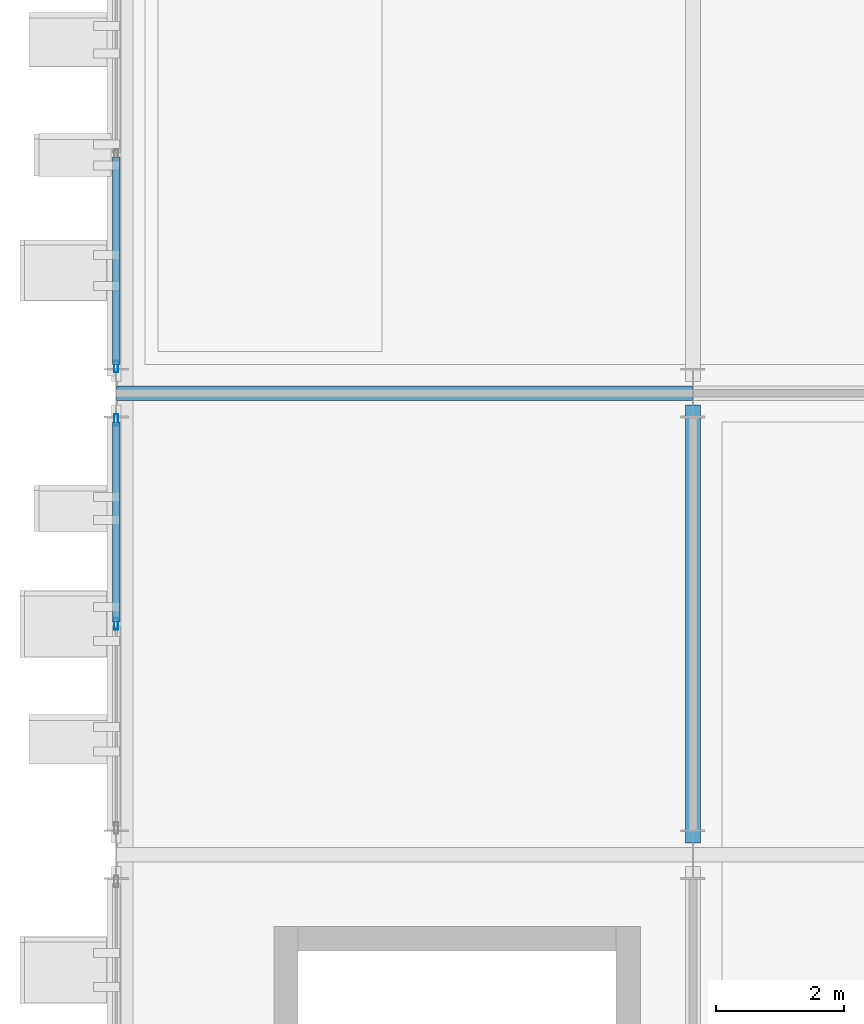
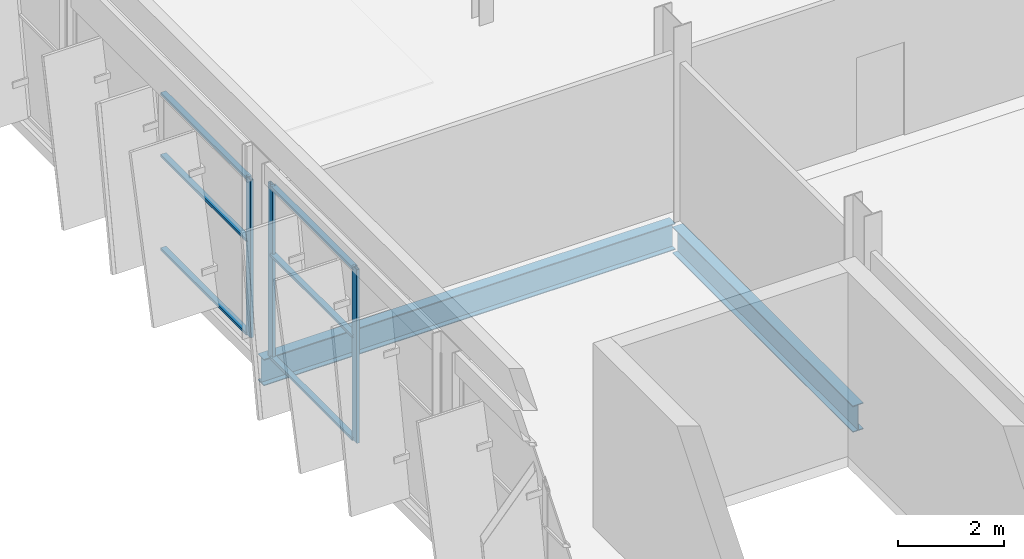
# One storey, part 9 of 52: 9 members, 2 beams, 2 elements without a shape of their own.
"""IFC4 building model written with IfcOpenShell, lengths in metres."""

from ifc_helpers import new_model, si_unit, direction, frame, origin, origin_2d, place, context, subcontext, project, spatial, hollow_rectangle, i_section, extrude, material, layer, layer_set, material_profile, profile_set, type_object, element, aggregate, save


model = new_model("IFC4")

# Units and contexts
model_context = context("Model", 3, precision=1e-05, world=origin(), true_north=direction((0.0, 1.0)))
body_context = subcontext(model_context, "Body", "Model", "MODEL_VIEW")
ifc_project = project(units=[si_unit("LENGTHUNIT", "METRE"), si_unit("AREAUNIT", "SQUARE_METRE"), si_unit("VOLUMEUNIT", "CUBIC_METRE"), si_unit("PLANEANGLEUNIT", "RADIAN"), si_unit("MASSUNIT", "GRAM", prefix="KILO")], contexts=[model_context])

# Site, building, storey
site_placement = place(None, origin())
site = spatial("IfcSite", under=ifc_project, at=site_placement, CompositionType="ELEMENT")
building_placement = place(site_placement, origin())
building = spatial("IfcBuilding", under=site, at=building_placement, Name="Celestram Park Convention Centre", CompositionType="ELEMENT")
storey_placement = place(building_placement, frame((0.0, 0.0, 24.300048828125)))
storey = spatial("IfcBuildingStorey", under=building, at=storey_placement, Name="L05", CompositionType="ELEMENT", Elevation=24.300048828125)

# Curtain wall, members
ifc_material_1 = material(Name="Anodised Aluminium Alloy 6063-T6", Category="aluminium")
ifc_layer_1 = layer(ifc_material_1, 0.179931640625)
ifc_layer_set_1 = layer_set([ifc_layer_1], Name="Anodised Aluminium Alloy 6063-T6")
curtain_wall_type_1 = type_object("IfcCurtainWallType", Name="ARC-CW-643X401", PredefinedType="NOTDEFINED", material=ifc_layer_set_1)
curtain_wall_1_placement = place(storey_placement, origin())
curtain_wall_1 = element("IfcCurtainWall", 1, at=curtain_wall_1_placement, inside=storey, type_object=curtain_wall_type_1, Name="Unitised curtain wall CU-L05-245", PredefinedType="NOTDEFINED")
ifc_material_profile_1 = material_profile(ifc_material_1, hollow_rectangle(XDim=0.06494140625, YDim=0.179931640625, WallThickness=0.00390625, at=origin_2d()), Name="ALU65X180X4")
ifc_profile_set_1 = profile_set([ifc_material_profile_1], Name="Anodised Aluminium Alloy 6063-T6")
member_type_1 = type_object("IfcMemberType", Name="ARC-CWM-150", PredefinedType="MULLION", material=ifc_profile_set_1)
member_1_placement = place(storey_placement, frame((36.0, 126.0, 0.0), z_axis=(0.0, 0.0, 1.0), x_axis=(-1.0, 0.0, 0.0)))
member_1 = element("IfcMember", 2, at=member_1_placement, type_object=member_type_1, Name="CW-64X40 mullion 2", PredefinedType="MULLION", context=body_context, shape_type="SweptSolid", body=[
    extrude(hollow_rectangle(XDim=0.06494140625, YDim=0.179931640625, WallThickness=0.00390625, at=origin_2d()), origin(), (0.0, 0.0, 1.0), 4.010009765625),
])
member_2_placement = place(storey_placement, frame((36.0, 129.18359375, 0.0), z_axis=(0.0, 0.0, 1.0), x_axis=(-1.0, 0.0, 0.0)))
member_2 = element("IfcMember", 3, at=member_2_placement, type_object=member_type_1, Name="CW-64X40 mullion 3", PredefinedType="MULLION", context=body_context, shape_type="SweptSolid", body=[
    extrude(hollow_rectangle(XDim=0.06494140625, YDim=0.179931640625, WallThickness=0.00390625, at=origin_2d()), origin(), (0.0, 0.0, 1.0), 4.010009765625),
])

# Curtain wall, member
ifc_layer_2 = layer(ifc_material_1, 0.179931640625)
ifc_layer_set_2 = layer_set([ifc_layer_2], Name="Anodised Aluminium Alloy 6063-T6")
curtain_wall_type_2 = type_object("IfcCurtainWallType", Name="ARC-CW-666X365", PredefinedType="NOTDEFINED", material=ifc_layer_set_2)
curtain_wall_2_placement = place(storey_placement, origin())
curtain_wall_2 = element("IfcCurtainWall", 4, at=curtain_wall_2_placement, inside=storey, type_object=curtain_wall_type_2, Name="Unitised curtain wall CU-L05-246", PredefinedType="NOTDEFINED")
member_3_placement = place(storey_placement, frame((36.0, 130.0166015625, 0.0), z_axis=(0.0, 0.0, 1.0), x_axis=(-1.0, 0.0, 0.0)))
member_3 = element("IfcMember", 5, at=member_3_placement, type_object=member_type_1, Name="CW-66X36 mullion 1", PredefinedType="MULLION", context=body_context, shape_type="SweptSolid", body=[
    extrude(hollow_rectangle(XDim=0.06494140625, YDim=0.179931640625, WallThickness=0.00390625, at=origin_2d()), origin(), (0.0, 0.0, 1.0), 3.64794921875),
])

# Member
ifc_material_profile_2 = material_profile(ifc_material_1, hollow_rectangle(XDim=0.1201171875, YDim=0.06005859375, WallThickness=0.0029296875, at=origin_2d()), Name="ALU120X60X3")
ifc_profile_set_2 = profile_set([ifc_material_profile_2], Name="Anodised Aluminium Alloy 6063-T6")
member_type_2 = type_object("IfcMemberType", Name="ARC-CWT-120", PredefinedType="USERDEFINED", material=ifc_profile_set_2)
member_4_placement = place(storey_placement, frame((36.0, 126.032470703125, 0.030029296875), z_axis=(0.0, 1.0, 0.0), x_axis=(-1.0, 0.0, 0.0)))
member_4 = element("IfcMember", 6, at=member_4_placement, type_object=member_type_2, Name="CW-64X40 transom 2.1", ObjectType="TRANSOM", PredefinedType="USERDEFINED", context=body_context, shape_type="SweptSolid", body=[
    extrude(hollow_rectangle(XDim=0.1201171875, YDim=0.06005859375, WallThickness=0.0029296875, at=origin_2d()), origin(), (0.0, 0.0, 1.0), 3.118408203125),
])

member_5_placement = place(storey_placement, frame((36.0, 126.032470703125, 2.406005859375), z_axis=(0.0, 1.0, 0.0), x_axis=(-1.0, 0.0, 0.0)))
member_5 = element("IfcMember", 7, at=member_5_placement, type_object=member_type_2, Name="CW-64X40 transom 2.2", ObjectType="TRANSOM", PredefinedType="USERDEFINED", context=body_context, shape_type="SweptSolid", body=[
    extrude(hollow_rectangle(XDim=0.1201171875, YDim=0.06005859375, WallThickness=0.0029296875, at=origin_2d()), origin(), (0.0, 0.0, 1.0), 3.118408203125),
])

member_6_placement = place(storey_placement, frame((36.0, 126.032470703125, 3.97998046875), z_axis=(0.0, 1.0, 0.0), x_axis=(-1.0, 0.0, 0.0)))
member_6 = element("IfcMember", 8, at=member_6_placement, type_object=member_type_2, Name="CW-64X40 transom 2.3", ObjectType="TRANSOM", PredefinedType="USERDEFINED", context=body_context, shape_type="SweptSolid", body=[
    extrude(hollow_rectangle(XDim=0.1201171875, YDim=0.06005859375, WallThickness=0.0029296875, at=origin_2d()), origin(), (0.0, 0.0, 1.0), 3.118408203125),
])

aggregate(curtain_wall_1, [member_1, member_2, member_4, member_5, member_6])

member_7_placement = place(storey_placement, frame((36.0, 130.049072265625, 0.030029296875), z_axis=(0.0, 1.0, 0.0), x_axis=(-1.0, 0.0, 0.0)))
member_7 = element("IfcMember", 9, at=member_7_placement, type_object=member_type_2, Name="CW-66X36 transom 1.1", ObjectType="TRANSOM", PredefinedType="USERDEFINED", context=body_context, shape_type="SweptSolid", body=[
    extrude(hollow_rectangle(XDim=0.1201171875, YDim=0.06005859375, WallThickness=0.0029296875, at=origin_2d()), origin(), (0.0, 0.0, 1.0), 3.234619140625),
])

member_8_placement = place(storey_placement, frame((36.0, 130.049072265625, 2.18896484375), z_axis=(0.0, 1.0, 0.0), x_axis=(-1.0, 0.0, 0.0)))
member_8 = element("IfcMember", 10, at=member_8_placement, type_object=member_type_2, Name="CW-66X36 transom 1.2", ObjectType="TRANSOM", PredefinedType="USERDEFINED", context=body_context, shape_type="SweptSolid", body=[
    extrude(hollow_rectangle(XDim=0.1201171875, YDim=0.06005859375, WallThickness=0.0029296875, at=origin_2d()), origin(), (0.0, 0.0, 1.0), 3.234619140625),
])

member_9_placement = place(storey_placement, frame((36.0, 130.049072265625, 3.617919921875), z_axis=(0.0, 1.0, 0.0), x_axis=(-1.0, 0.0, 0.0)))
member_9 = element("IfcMember", 11, at=member_9_placement, type_object=member_type_2, Name="CW-66X36 transom 1.3", ObjectType="TRANSOM", PredefinedType="USERDEFINED", context=body_context, shape_type="SweptSolid", body=[
    extrude(hollow_rectangle(XDim=0.1201171875, YDim=0.06005859375, WallThickness=0.0029296875, at=origin_2d()), origin(), (0.0, 0.0, 1.0), 3.234619140625),
])

aggregate(curtain_wall_2, [member_3, member_7, member_8, member_9])

# Beams
ifc_material_2 = material(Name="Steel ASTM A992 Grade 50", Category="steel")
ifc_material_profile_3 = material_profile(ifc_material_2, i_section(OverallWidth=0.22900390625, OverallDepth=0.612060546875, WebThickness=0.011962890625, FlangeThickness=0.01953125, at=origin_2d()), Name="W24X84")
ifc_profile_set_3 = profile_set([ifc_material_profile_3], Name="Steel ASTM A992 Grade 50")
beam_type = type_object("IfcBeamType", Name="STR-BM-W24X84", PredefinedType="BEAM", material=ifc_profile_set_3)
beam_1_placement = place(storey_placement, frame((36.006103515625, 129.60009765625, -0.546142578125), z_axis=(1.0, 0.0, 0.0), x_axis=(0.0, 1.0, 0.0)))
element("IfcBeam", 12, at=beam_1_placement, inside=storey, type_object=beam_type, Name="Primary X-girder BG-L05-0006", PredefinedType="BEAM", context=body_context, shape_type="SweptSolid", body=[
    extrude(i_section(OverallWidth=0.22900390625, OverallDepth=0.612060546875, WebThickness=0.011962890625, FlangeThickness=0.01953125, at=origin_2d()), origin(), (0.0, 0.0, 1.0), 8.98779296875),
])
beam_2_placement = place(storey_placement, frame((45.0, 122.58447265625, -0.546142578125), z_axis=(0.0, 1.0, 0.0), x_axis=(-1.0, 0.0, 0.0)))
element("IfcBeam", 13, at=beam_2_placement, inside=storey, type_object=beam_type, Name="Primary Y-girder BG-L05-0019", PredefinedType="BEAM", context=body_context, shape_type="SweptSolid", body=[
    extrude(i_section(OverallWidth=0.22900390625, OverallDepth=0.612060546875, WebThickness=0.011962890625, FlangeThickness=0.01953125, at=origin_2d()), origin(), (0.0, 0.0, 1.0), 6.8310546875),
])

save(model, "model.ifc")
